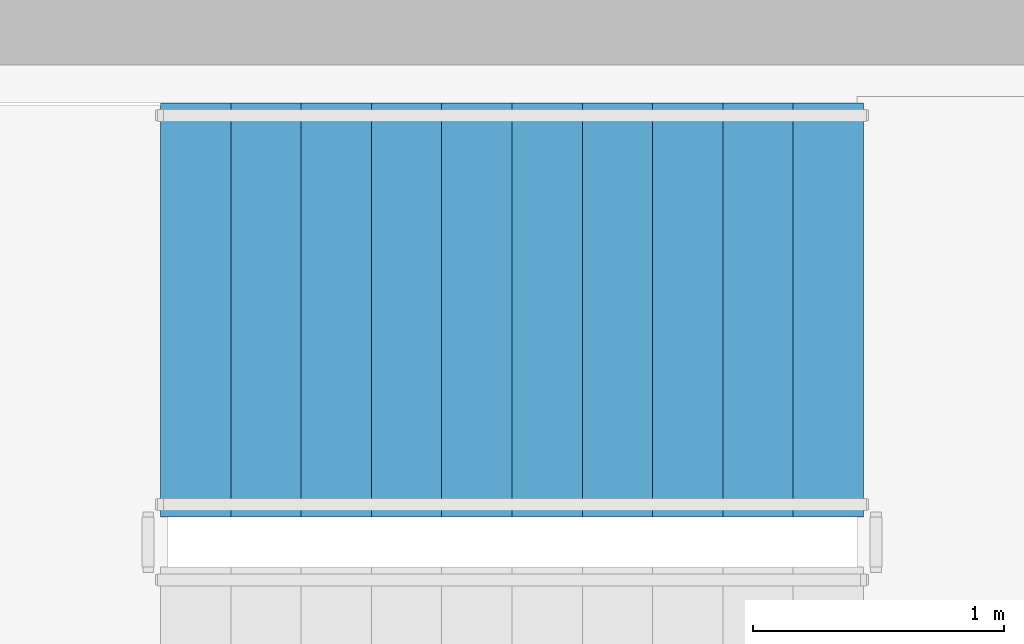
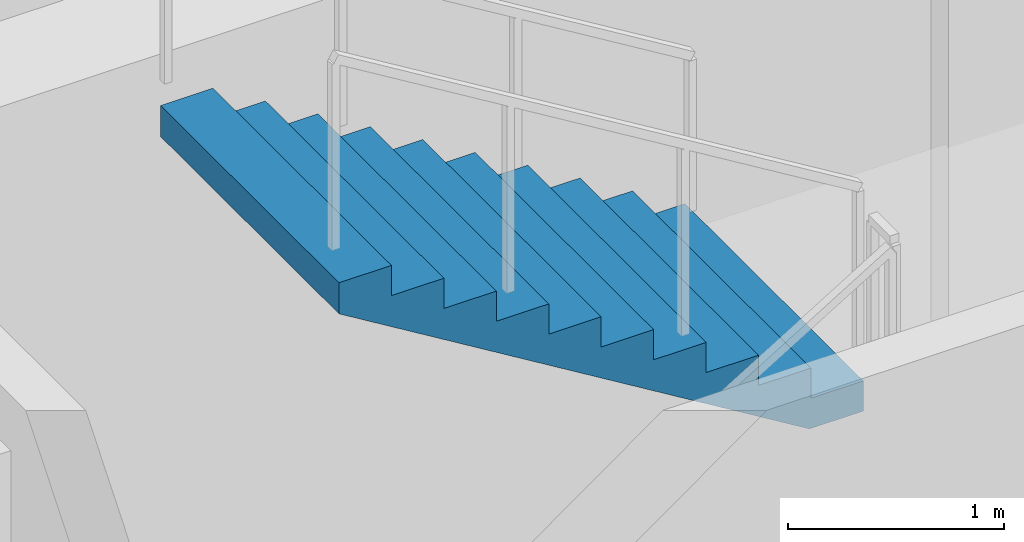
# One storey, part 30 of 35: 1 stair flight, 1 element without a shape of its own.
"""IFC4 building model written with IfcOpenShell, lengths in metres."""

from ifc_helpers import new_model, si_unit, direction, frame, origin, place, context, subcontext, project, spatial, polyline, outline, extrude, material, type_object, element, aggregate, save


model = new_model("IFC4")

# Units and contexts
model_context = context("Model", 3, precision=1e-05, world=origin(), true_north=direction((0.0, 1.0)))
body_context = subcontext(model_context, "Body", "Model", "MODEL_VIEW")
ifc_project = project(units=[si_unit("LENGTHUNIT", "METRE"), si_unit("AREAUNIT", "SQUARE_METRE"), si_unit("VOLUMEUNIT", "CUBIC_METRE"), si_unit("PLANEANGLEUNIT", "RADIAN"), si_unit("MASSUNIT", "GRAM", prefix="KILO")], contexts=[model_context])

# Site, building, storey
site_placement = place(None, origin())
site = spatial("IfcSite", under=ifc_project, at=site_placement, CompositionType="ELEMENT")
building_placement = place(site_placement, origin())
building = spatial("IfcBuilding", under=site, at=building_placement, Name="Haldenkirk Collegiate Tower", CompositionType="ELEMENT")
storey_placement = place(building_placement, frame((0.0, 0.0, 32.699951171875)))
storey = spatial("IfcBuildingStorey", under=building, at=storey_placement, Name="L06", CompositionType="ELEMENT", Elevation=32.699951171875)

# Stair, stair flight
ifc_material = material(Name="Concrete f'c 40 MPa", Category="concrete")
stair_type = type_object("IfcStairType", Name="STR-DOGLEG-1650", PredefinedType="HALF_TURN_STAIR", material=ifc_material)
stair_placement = place(storey_placement, origin())
stair = element("IfcStair", 1, at=stair_placement, inside=storey, type_object=stair_type, Name="L06 Core Exit Stair ST-3", PredefinedType="HALF_TURN_STAIR")
stair_flight_type = type_object("IfcStairFlightType", Name="STF-FLIGHT-1650", PredefinedType="STRAIGHT", material=ifc_material)
stair_flight_placement = place(storey_placement, frame((36.449951171875, 32.72509765625, 1.875), z_axis=(0.0, 0.0, 1.0), x_axis=(-1.0, 0.0, 0.0)))
stair_flight = element("IfcStairFlight", 2, at=stair_flight_placement, type_object=stair_flight_type, Name="ST-3 flight 2", NumberOfRisers=11, NumberOfTreads=10, PredefinedType="STRAIGHT", RiserHeight=0.170454545, TreadLength=0.28, context=body_context, shape_type="SweptSolid", body=[
    extrude(outline(polyline([(0.0, 0.0), (0.0, 0.17041015625), (0.280029296875, 0.17041015625), (0.280029296875, 0.3408203125), (0.56005859375, 0.3408203125), (0.56005859375, 0.511474609375), (0.840087890625, 0.511474609375), (0.840087890625, 0.681884765625), (1.1201171875, 0.681884765625), (1.1201171875, 0.852294921875), (1.39990234375, 0.852294921875), (1.39990234375, 1.022705078125), (1.679931640625, 1.022705078125), (1.679931640625, 1.193115234375), (1.9599609375, 1.193115234375), (1.9599609375, 1.363525390625), (2.239990234375, 1.363525390625), (2.239990234375, 1.5341796875), (2.52001953125, 1.5341796875), (2.52001953125, 1.70458984375), (2.800048828125, 1.70458984375), (2.800048828125, 1.875), (2.800048828125, 1.529052734375), (0.288330078125, 0.0), (0.0, 0.0)])), frame((0.0, 0.824951171875, 0.0), z_axis=(0.0, -1.0, 0.0), x_axis=(1.0, 0.0, 0.0)), (0.0, 0.0, 1.0), 1.64990234375),
])
aggregate(stair, [stair_flight])

save(model, "model.ifc")
